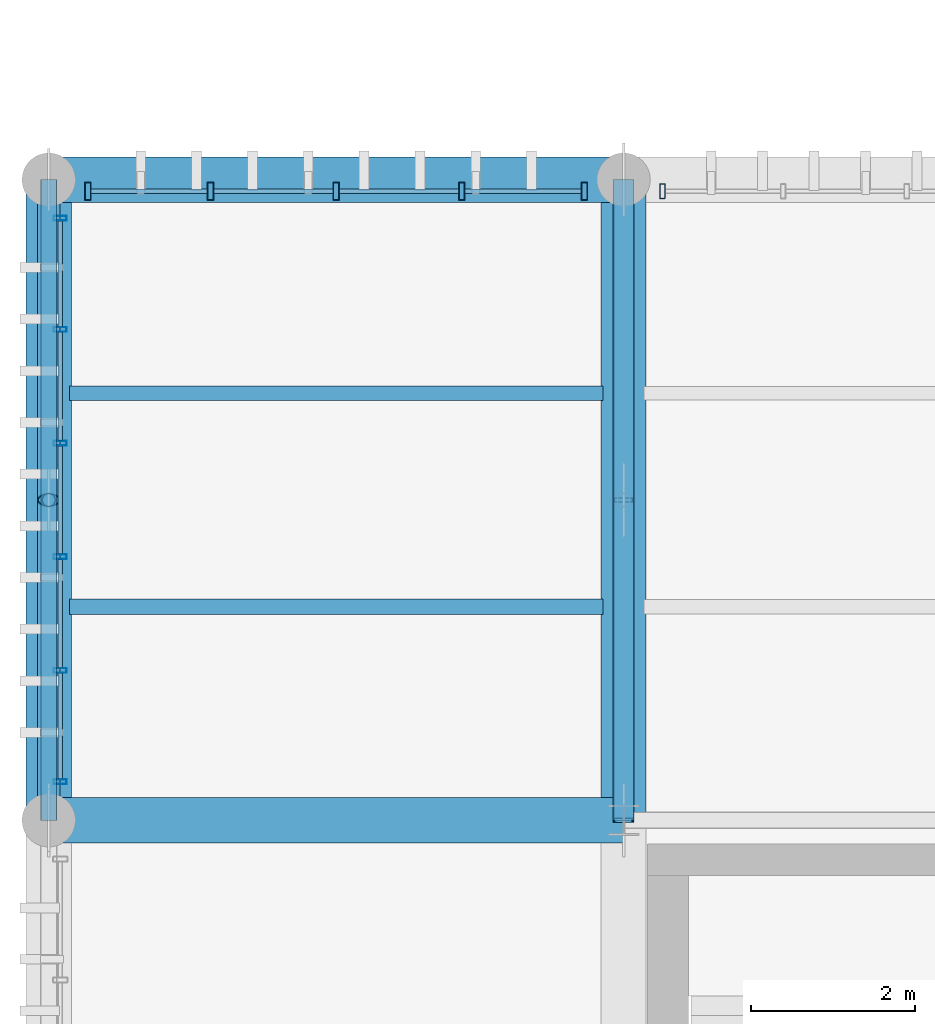
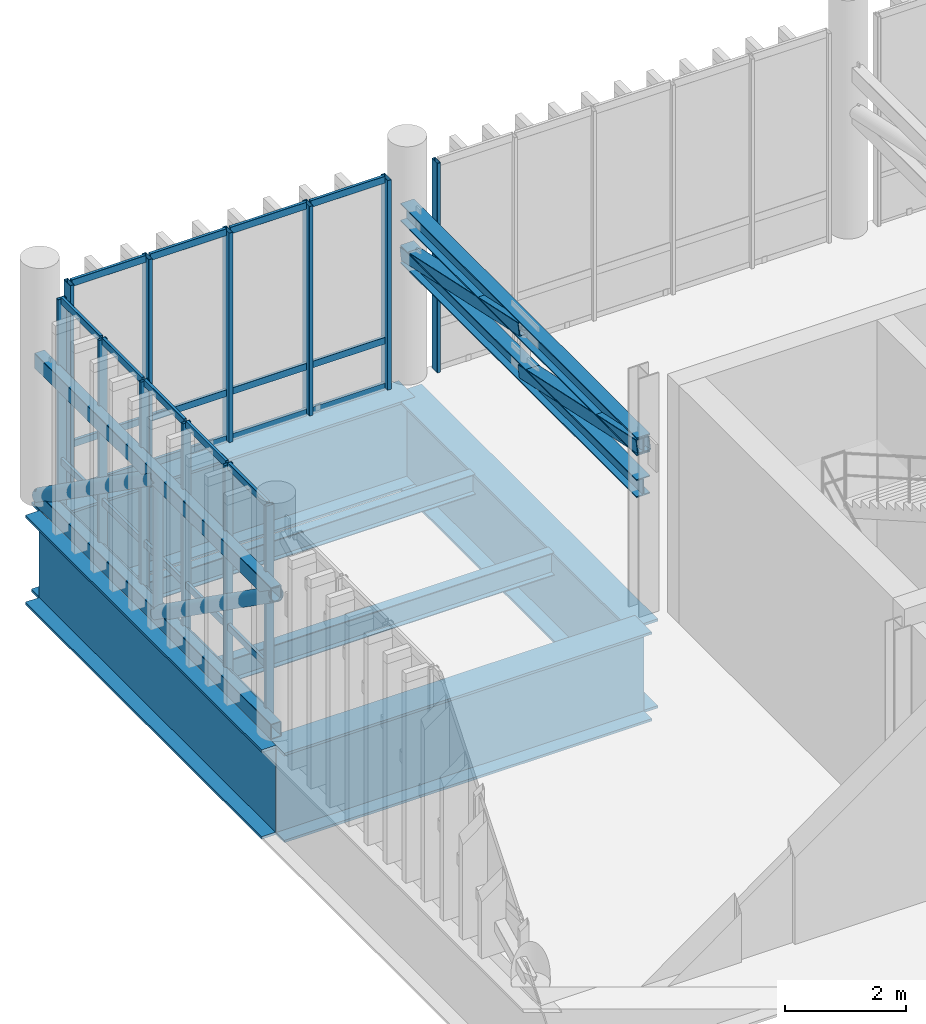
# One storey, part 14 of 81: 48 members, 6 beams, 3 elements without a shape of their own.
"""IFC4 building model written with IfcOpenShell, lengths in metres."""

from ifc_helpers import new_model, si_unit, direction, frame, origin_with_axes, origin_2d_with_axis, place, context, subcontext, project, spatial, hollow_rectangle, hollow_circle, i_section, extrude, material, material_profile, profile_set, type_object, element, aggregate, save


model = new_model("IFC4")

# Units and contexts
model_context = context("Model", 3, precision=1e-05, world=origin_with_axes(), true_north=direction((0.0, 1.0)))
body_context = subcontext(model_context, "Body", "Model", "MODEL_VIEW")
ifc_project = project(units=[si_unit("LENGTHUNIT", "METRE"), si_unit("AREAUNIT", "SQUARE_METRE"), si_unit("VOLUMEUNIT", "CUBIC_METRE"), si_unit("PLANEANGLEUNIT", "RADIAN"), si_unit("MASSUNIT", "GRAM", prefix="KILO"), si_unit("THERMODYNAMICTEMPERATUREUNIT", "KELVIN")], contexts=[model_context])

# Site, building, storey
site_placement = place(None, origin_with_axes())
site = spatial("IfcSite", under=ifc_project, at=site_placement, CompositionType="ELEMENT")
building_placement = place(site_placement, origin_with_axes())
building = spatial("IfcBuilding", under=site, at=building_placement, Name="Montbau Bow Law Courts", CompositionType="ELEMENT")
storey_placement = place(building_placement, frame((0.0, 0.0, 24.9), z_axis=(0.0, 0.0, 1.0), x_axis=(1.0, 0.0, 0.0)))
storey = spatial("IfcBuildingStorey", under=building, at=storey_placement, Name="L05", CompositionType="ELEMENT", Elevation=24.9)

# Beams
ifc_material_1 = material(Name="Steel CSA G40.21 Grade 350W (350 MPa)", Category="steel")
ifc_material_profile_1 = material_profile(ifc_material_1, i_section(OverallWidth=0.191, OverallDepth=0.46, WebThickness=0.0099, FlangeThickness=0.016, at=origin_2d_with_axis()), Name="W460X82", Category="Main", Priority=0)
ifc_profile_set_1 = profile_set([ifc_material_profile_1], Name="Steel CSA G40.21 Grade 350W (350 MPa)")
beam_type_1 = type_object("IfcBeamType", Name="B-JST-01", PredefinedType="JOIST", material=ifc_profile_set_1)
beam_1_placement = place(None, frame((7.051, 57.2, 24.37), z_axis=(1.0, 0.0, 0.0), x_axis=(0.0, 1.0, 0.0)))
element("IfcBeam", 1, at=beam_1_placement, inside=storey, type_object=beam_type_1, Name="JST-L05-S0320:jst2_0320", PredefinedType="JOIST", context=body_context, shape_type="SweptSolid", body=[
    extrude(i_section(OverallWidth=0.191, OverallDepth=0.46, WebThickness=0.0099, FlangeThickness=0.016, at=origin_2d_with_axis()), origin_with_axes(), (0.0, 0.0, 1.0), 6.498),
])
ifc_material_profile_2 = material_profile(ifc_material_1, i_section(OverallWidth=0.179, OverallDepth=0.41, WebThickness=0.0088, FlangeThickness=0.0144, at=origin_2d_with_axis()), Name="W410X67", Category="Main", Priority=0)
ifc_profile_set_2 = profile_set([ifc_material_profile_2], Name="Steel CSA G40.21 Grade 350W (350 MPa)")
beam_type_2 = type_object("IfcBeamType", Name="B-JST-02", PredefinedType="JOIST", material=ifc_profile_set_2)
beam_2_placement = place(None, frame((7.051, 59.8, 24.395), z_axis=(1.0, 0.0, 0.0), x_axis=(0.0, 1.0, 0.0)))
element("IfcBeam", 2, at=beam_2_placement, inside=storey, type_object=beam_type_2, Name="JST-L05-S0321:jst2_0321", PredefinedType="JOIST", context=body_context, shape_type="SweptSolid", body=[
    extrude(i_section(OverallWidth=0.179, OverallDepth=0.41, WebThickness=0.0088, FlangeThickness=0.0144, at=origin_2d_with_axis()), origin_with_axes(), (0.0, 0.0, 1.0), 6.498),
])
ifc_material_2 = material(Name="Steel CSA G40.21 Grade 350WT (350 MPa)", Category="steel")
ifc_material_profile_3 = material_profile(ifc_material_2, i_section(OverallWidth=0.55, OverallDepth=1.8, WebThickness=0.022, FlangeThickness=0.05, at=origin_2d_with_axis()), Name="WWF1800X550", Category="Main", Priority=0)
ifc_profile_set_3 = profile_set([ifc_material_profile_3], Name="Steel CSA G40.21 Grade 350WT (350 MPa)")
beam_type_3 = type_object("IfcBeamType", Name="B-TRG-01", PredefinedType="USERDEFINED", material=ifc_profile_set_3)
for number, where, z_axis, x_axis, name in (
    (3, (6.8, 54.6, 23.7), (0.0, 1.0, 0.0), (-1.0, 0.0, 0.0), "TRG-L05-S0032:bm2_0035"),
    (4, (13.8, 54.6, 23.7), (0.0, 1.0, 0.0), (-1.0, 0.0, 0.0), "TRG-L05-S0034:bm2_0037"),
):
    element("IfcBeam", number, at=place(None, frame(where, z_axis=z_axis, x_axis=x_axis)), inside=storey, type_object=beam_type_3, Name=name, ObjectType="GIRDER", PredefinedType="USERDEFINED", context=body_context, shape_type="SweptSolid", body=[
        extrude(i_section(OverallWidth=0.55, OverallDepth=1.8, WebThickness=0.022, FlangeThickness=0.05, at=origin_2d_with_axis()), origin_with_axes(), (0.0, 0.0, 1.0), 7.8),
    ])
for number, where, z_axis, x_axis, name in (
    (5, (6.8, 62.4, 23.7), (1.0, 0.0, 0.0), (0.0, 1.0, 0.0), "TRG-L05-S0043:bm2_0046"),
    (6, (6.8, 54.6, 23.7), (1.0, 0.0, 0.0), (0.0, 1.0, 0.0), "TRG-L05-S0057:bm2_0060"),
):
    element("IfcBeam", number, at=place(None, frame(where, z_axis=z_axis, x_axis=x_axis)), inside=storey, type_object=beam_type_3, Name=name, ObjectType="GIRDER", PredefinedType="USERDEFINED", context=body_context, shape_type="SweptSolid", body=[
        extrude(i_section(OverallWidth=0.55, OverallDepth=1.8, WebThickness=0.022, FlangeThickness=0.05, at=origin_2d_with_axis()), origin_with_axes(), (0.0, 0.0, 1.0), 7.0),
    ])

# Members
ifc_material_profile_4 = material_profile(ifc_material_1, hollow_rectangle(XDim=0.254, YDim=0.254, WallThickness=0.0127, InnerFilletRadius=0.0254, OuterFilletRadius=0.0127, at=origin_2d_with_axis()), Name="HSS254X254X13", Category="Main", Priority=0)
ifc_profile_set_4 = profile_set([ifc_material_profile_4], Name="Steel CSA G40.21 Grade 350W (350 MPa)")
member_type_1 = type_object("IfcMemberType", Name="M-BRC-01", PredefinedType="BRACE", material=ifc_profile_set_4)
for number, where, z_axis, x_axis, name in (
    (7, (13.8, 54.6, 28.2), (0.0, 0.977581781, -0.210556076), (-1.0, 0.0, 0.0), "Diagonal brace BRC-L05-003"),
    (8, (13.8, 58.5, 28.2), (0.0, 0.977581781, -0.210556076), (-1.0, 0.0, 0.0), "Diagonal brace BRC-L05-004"),
):
    element("IfcMember", number, at=place(None, frame(where, z_axis=z_axis, x_axis=x_axis)), inside=storey, type_object=member_type_1, Name=name, PredefinedType="BRACE", context=body_context, shape_type="SweptSolid", body=[
        extrude(hollow_rectangle(XDim=0.254, YDim=0.254, WallThickness=0.0127, InnerFilletRadius=0.0254, OuterFilletRadius=0.0127, at=origin_2d_with_axis()), origin_with_axes(), (0.0, 0.0, 1.0), 3.989436),
    ])
ifc_material_profile_5 = material_profile(ifc_material_1, hollow_circle(Radius=0.1365, WallThickness=0.0127, at=origin_2d_with_axis()), Name="HSS273X13", Category="Main", Priority=0)
ifc_profile_set_5 = profile_set([ifc_material_profile_5], Name="Steel CSA G40.21 Grade 350W (350 MPa)")
member_type_2 = type_object("IfcMemberType", Name="M-BRC-03", PredefinedType="BRACE", material=ifc_profile_set_5)
for number, where, z_axis, x_axis, name in (
    (9, (6.8, 54.6, 27.65), (0.0, 0.817258134, -0.576271761), (-1.0, 0.0, 0.0), "Diagonal brace BRC-L05-001"),
    (10, (6.8, 58.5, 27.65), (0.0, 0.817258134, -0.576271761), (-1.0, 0.0, 0.0), "Diagonal brace BRC-L05-002"),
):
    element("IfcMember", number, at=place(None, frame(where, z_axis=z_axis, x_axis=x_axis)), inside=storey, type_object=member_type_2, Name=name, PredefinedType="BRACE", context=body_context, shape_type="SweptSolid", body=[
        extrude(hollow_circle(Radius=0.1365, WallThickness=0.0127, at=origin_2d_with_axis()), origin_with_axes(), (0.0, 0.0, 1.0), 4.772054),
    ])
ifc_material_profile_6 = material_profile(ifc_material_2, i_section(OverallWidth=0.257, OverallDepth=0.363, WebThickness=0.013, FlangeThickness=0.0217, at=origin_2d_with_axis()), Name="W360X122", Category="Main", Priority=0)
ifc_profile_set_6 = profile_set([ifc_material_profile_6], Name="Steel CSA G40.21 Grade 350WT (350 MPa)")
member_type_3 = type_object("IfcMemberType", Name="M-CHD-01", PredefinedType="CHORD", material=ifc_profile_set_6)
for number, where, z_axis, x_axis, name in (
    (11, (13.8, 54.6, 27.36), (0.0, 1.0, 0.0), (-1.0, 0.0, 0.0), "CHB-L05-02:chb_0002"),
    (12, (13.8, 54.6, 28.2), (0.0, 1.0, 0.0), (-1.0, 0.0, 0.0), "CHD-L05-02:mbr_0005"),
):
    element("IfcMember", number, at=place(None, frame(where, z_axis=z_axis, x_axis=x_axis)), inside=storey, type_object=member_type_3, Name=name, PredefinedType="CHORD", context=body_context, shape_type="SweptSolid", body=[
        extrude(i_section(OverallWidth=0.257, OverallDepth=0.363, WebThickness=0.013, FlangeThickness=0.0217, at=origin_2d_with_axis()), origin_with_axes(), (0.0, 0.0, 1.0), 7.8),
    ])
ifc_material_profile_7 = material_profile(ifc_material_2, hollow_rectangle(XDim=0.203, YDim=0.305, WallThickness=0.0127, InnerFilletRadius=0.0254, OuterFilletRadius=0.0127, at=origin_2d_with_axis()), Name="HSS305X203X13", Category="Main", Priority=0)
ifc_profile_set_7 = profile_set([ifc_material_profile_7], Name="Steel CSA G40.21 Grade 350WT (350 MPa)")
member_type_4 = type_object("IfcMemberType", Name="M-CHD-02", PredefinedType="CHORD", material=ifc_profile_set_7)
for number, where, z_axis, x_axis, name in (
    (13, (6.8, 54.6, 24.9), (0.0, 1.0, 0.0), (-1.0, 0.0, 0.0), "CHB-L05-01:chb_0001"),
    (14, (6.8, 54.6, 27.65), (0.0, 1.0, 0.0), (-1.0, 0.0, 0.0), "CHD-L05-01:mbr_0001"),
):
    element("IfcMember", number, at=place(None, frame(where, z_axis=z_axis, x_axis=x_axis)), inside=storey, type_object=member_type_4, Name=name, PredefinedType="CHORD", context=body_context, shape_type="SweptSolid", body=[
        extrude(hollow_rectangle(XDim=0.203, YDim=0.305, WallThickness=0.0127, InnerFilletRadius=0.0254, OuterFilletRadius=0.0127, at=origin_2d_with_axis()), origin_with_axes(), (0.0, 0.0, 1.0), 7.8),
    ])

# Curtain wall, members
ifc_material_3 = material(Name="Thermally Broken Extruded Aluminium AA 6063-T6", Category="aluminium")
curtain_wall_type = type_object("IfcCurtainWallType", Name="CW-TRC-02", PredefinedType="NOTDEFINED", material=ifc_material_3)
curtain_wall_1_placement = place(None, frame((7.24, 62.26, 24.9), z_axis=(0.0, 0.0, 1.0), x_axis=(1.0, 0.0, 0.0)))
curtain_wall_1 = element("IfcCurtainWall", 15, at=curtain_wall_1_placement, inside=storey, type_object=curtain_wall_type, Name="CW-L05-081:cw_0081", PredefinedType="NOTDEFINED")
ifc_material_profile_8 = material_profile(ifc_material_3, hollow_rectangle(XDim=0.075, YDim=0.22, WallThickness=0.005, InnerFilletRadius=0.01, OuterFilletRadius=0.005, at=origin_2d_with_axis()), Name="CWM-220X75", Category="Main", Priority=0)
ifc_profile_set_8 = profile_set([ifc_material_profile_8], Name="Thermally Broken Extruded Aluminium AA 6063-T6")
member_type_5 = type_object("IfcMemberType", Name="M-MUL-01", PredefinedType="MULLION", material=ifc_profile_set_8)
member_1_placement = place(None, frame((7.277, 62.26, 24.9), z_axis=(0.0, 0.0, 1.0), x_axis=(1.0, 0.0, 0.0)))
member_1 = element("IfcMember", 16, at=member_1_placement, type_object=member_type_5, Name="CW-L05-081-M01:cw_0081_M01", PredefinedType="MULLION", context=body_context, shape_type="SweptSolid", body=[
    extrude(hollow_rectangle(XDim=0.075, YDim=0.22, WallThickness=0.005, InnerFilletRadius=0.01, OuterFilletRadius=0.005, at=origin_2d_with_axis()), origin_with_axes(), (0.0, 0.0, 1.0), 4.22),
])
member_2_placement = place(None, frame((8.77, 62.26, 24.9), z_axis=(0.0, 0.0, 1.0), x_axis=(1.0, 0.0, 0.0)))
member_2 = element("IfcMember", 17, at=member_2_placement, type_object=member_type_5, Name="CW-L05-081-M02:cw_0081_M02", PredefinedType="MULLION", context=body_context, shape_type="SweptSolid", body=[
    extrude(hollow_rectangle(XDim=0.075, YDim=0.22, WallThickness=0.005, InnerFilletRadius=0.01, OuterFilletRadius=0.005, at=origin_2d_with_axis()), origin_with_axes(), (0.0, 0.0, 1.0), 4.22),
])
member_3_placement = place(None, frame((10.3, 62.26, 24.9), z_axis=(0.0, 0.0, 1.0), x_axis=(1.0, 0.0, 0.0)))
member_3 = element("IfcMember", 18, at=member_3_placement, type_object=member_type_5, Name="CW-L05-081-M03:cw_0081_M03", PredefinedType="MULLION", context=body_context, shape_type="SweptSolid", body=[
    extrude(hollow_rectangle(XDim=0.075, YDim=0.22, WallThickness=0.005, InnerFilletRadius=0.01, OuterFilletRadius=0.005, at=origin_2d_with_axis()), origin_with_axes(), (0.0, 0.0, 1.0), 4.22),
])
member_4_placement = place(None, frame((11.83, 62.26, 24.9), z_axis=(0.0, 0.0, 1.0), x_axis=(1.0, 0.0, 0.0)))
member_4 = element("IfcMember", 19, at=member_4_placement, type_object=member_type_5, Name="CW-L05-081-M04:cw_0081_M04", PredefinedType="MULLION", context=body_context, shape_type="SweptSolid", body=[
    extrude(hollow_rectangle(XDim=0.075, YDim=0.22, WallThickness=0.005, InnerFilletRadius=0.01, OuterFilletRadius=0.005, at=origin_2d_with_axis()), origin_with_axes(), (0.0, 0.0, 1.0), 4.22),
])
member_5_placement = place(None, frame((13.322, 62.26, 24.9), z_axis=(0.0, 0.0, 1.0), x_axis=(1.0, 0.0, 0.0)))
member_5 = element("IfcMember", 20, at=member_5_placement, type_object=member_type_5, Name="CW-L05-081-M05:cw_0081_M05", PredefinedType="MULLION", context=body_context, shape_type="SweptSolid", body=[
    extrude(hollow_rectangle(XDim=0.075, YDim=0.22, WallThickness=0.005, InnerFilletRadius=0.01, OuterFilletRadius=0.005, at=origin_2d_with_axis()), origin_with_axes(), (0.0, 0.0, 1.0), 4.22),
])

# Curtain wall, member
curtain_wall_2_placement = place(None, frame((14.24, 62.26, 24.9), z_axis=(0.0, 0.0, 1.0), x_axis=(1.0, 0.0, 0.0)))
curtain_wall_2 = element("IfcCurtainWall", 21, at=curtain_wall_2_placement, inside=storey, type_object=curtain_wall_type, Name="CW-L05-082:cw_0082", PredefinedType="NOTDEFINED")
ifc_material_profile_9 = material_profile(ifc_material_3, hollow_rectangle(XDim=0.065, YDim=0.18, WallThickness=0.005, InnerFilletRadius=0.01, OuterFilletRadius=0.005, at=origin_2d_with_axis()), Name="CWM-180X65", Category="Main", Priority=0)
ifc_profile_set_9 = profile_set([ifc_material_profile_9], Name="Thermally Broken Extruded Aluminium AA 6063-T6")
member_type_6 = type_object("IfcMemberType", Name="M-MUL-02", PredefinedType="MULLION", material=ifc_profile_set_9)
member_6_placement = place(None, frame((14.273, 62.26, 24.9), z_axis=(0.0, 0.0, 1.0), x_axis=(1.0, 0.0, 0.0)))
member_6 = element("IfcMember", 22, at=member_6_placement, type_object=member_type_6, Name="CW-L05-082-M01:cw_0082_M01", PredefinedType="MULLION", context=body_context, shape_type="SweptSolid", body=[
    extrude(hollow_rectangle(XDim=0.065, YDim=0.18, WallThickness=0.005, InnerFilletRadius=0.01, OuterFilletRadius=0.005, at=origin_2d_with_axis()), origin_with_axes(), (0.0, 0.0, 1.0), 4.22),
])
aggregate(curtain_wall_2, [member_6])

# Curtain wall, members
curtain_wall_3_placement = place(None, frame((6.94, 55.04, 24.9), z_axis=(0.0, 0.0, 1.0), x_axis=(1.0, 0.0, 0.0)))
curtain_wall_3 = element("IfcCurtainWall", 23, at=curtain_wall_3_placement, inside=storey, type_object=curtain_wall_type, Name="CW-L05-089:cw_0089", PredefinedType="NOTDEFINED")
ifc_material_profile_10 = material_profile(ifc_material_3, hollow_rectangle(XDim=0.06, YDim=0.16, WallThickness=0.004, InnerFilletRadius=0.008, OuterFilletRadius=0.004, at=origin_2d_with_axis()), Name="CWM-160X60", Category="Main", Priority=0)
ifc_profile_set_10 = profile_set([ifc_material_profile_10], Name="Thermally Broken Extruded Aluminium AA 6063-T6")
member_type_7 = type_object("IfcMemberType", Name="M-MUL-03", PredefinedType="MULLION", material=ifc_profile_set_10)
member_7_placement = place(None, frame((6.94, 55.07, 24.9), z_axis=(0.0, 0.0, 1.0), x_axis=(0.0, 1.0, 0.0)))
member_7 = element("IfcMember", 24, at=member_7_placement, type_object=member_type_7, Name="CW-L05-089-M01:cw_0089_M01", PredefinedType="MULLION", context=body_context, shape_type="SweptSolid", body=[
    extrude(hollow_rectangle(XDim=0.06, YDim=0.16, WallThickness=0.004, InnerFilletRadius=0.008, OuterFilletRadius=0.004, at=origin_2d_with_axis()), origin_with_axes(), (0.0, 0.0, 1.0), 4.22),
])
member_8_placement = place(None, frame((6.94, 56.424, 24.9), z_axis=(0.0, 0.0, 1.0), x_axis=(0.0, 1.0, 0.0)))
member_8 = element("IfcMember", 25, at=member_8_placement, type_object=member_type_7, Name="CW-L05-089-M02:cw_0089_M02", PredefinedType="MULLION", context=body_context, shape_type="SweptSolid", body=[
    extrude(hollow_rectangle(XDim=0.06, YDim=0.16, WallThickness=0.004, InnerFilletRadius=0.008, OuterFilletRadius=0.004, at=origin_2d_with_axis()), origin_with_axes(), (0.0, 0.0, 1.0), 4.22),
])
member_9_placement = place(None, frame((6.94, 57.808, 24.9), z_axis=(0.0, 0.0, 1.0), x_axis=(0.0, 1.0, 0.0)))
member_9 = element("IfcMember", 26, at=member_9_placement, type_object=member_type_7, Name="CW-L05-089-M03:cw_0089_M03", PredefinedType="MULLION", context=body_context, shape_type="SweptSolid", body=[
    extrude(hollow_rectangle(XDim=0.06, YDim=0.16, WallThickness=0.004, InnerFilletRadius=0.008, OuterFilletRadius=0.004, at=origin_2d_with_axis()), origin_with_axes(), (0.0, 0.0, 1.0), 4.22),
])
member_10_placement = place(None, frame((6.94, 59.192, 24.9), z_axis=(0.0, 0.0, 1.0), x_axis=(0.0, 1.0, 0.0)))
member_10 = element("IfcMember", 27, at=member_10_placement, type_object=member_type_7, Name="CW-L05-089-M04:cw_0089_M04", PredefinedType="MULLION", context=body_context, shape_type="SweptSolid", body=[
    extrude(hollow_rectangle(XDim=0.06, YDim=0.16, WallThickness=0.004, InnerFilletRadius=0.008, OuterFilletRadius=0.004, at=origin_2d_with_axis()), origin_with_axes(), (0.0, 0.0, 1.0), 4.22),
])
member_11_placement = place(None, frame((6.94, 60.576, 24.9), z_axis=(0.0, 0.0, 1.0), x_axis=(0.0, 1.0, 0.0)))
member_11 = element("IfcMember", 28, at=member_11_placement, type_object=member_type_7, Name="CW-L05-089-M05:cw_0089_M05", PredefinedType="MULLION", context=body_context, shape_type="SweptSolid", body=[
    extrude(hollow_rectangle(XDim=0.06, YDim=0.16, WallThickness=0.004, InnerFilletRadius=0.008, OuterFilletRadius=0.004, at=origin_2d_with_axis()), origin_with_axes(), (0.0, 0.0, 1.0), 4.22),
])
member_12_placement = place(None, frame((6.94, 61.93, 24.9), z_axis=(0.0, 0.0, 1.0), x_axis=(0.0, 1.0, 0.0)))
member_12 = element("IfcMember", 29, at=member_12_placement, type_object=member_type_7, Name="CW-L05-089-M06:cw_0089_M06", PredefinedType="MULLION", context=body_context, shape_type="SweptSolid", body=[
    extrude(hollow_rectangle(XDim=0.06, YDim=0.16, WallThickness=0.004, InnerFilletRadius=0.008, OuterFilletRadius=0.004, at=origin_2d_with_axis()), origin_with_axes(), (0.0, 0.0, 1.0), 4.22),
])

# Member
ifc_material_profile_11 = material_profile(ifc_material_1, hollow_circle(Radius=0.084, WallThickness=0.0095, at=origin_2d_with_axis()), Name="HSS168X9.5", Category="Main", Priority=0)
ifc_profile_set_11 = profile_set([ifc_material_profile_11], Name="Steel CSA G40.21 Grade 350W (350 MPa)")
member_type_8 = type_object("IfcMemberType", Name="M-STR-01", PredefinedType="STRUT", material=ifc_profile_set_11)
member_13_placement = place(None, frame((6.8, 58.5, 24.9), z_axis=(0.0, 0.0, 1.0), x_axis=(1.0, 0.0, 0.0)))
element("IfcMember", 30, at=member_13_placement, inside=storey, type_object=member_type_8, Name="STR-L05-01:mbr_0004", PredefinedType="STRUT", context=body_context, shape_type="SweptSolid", body=[
    extrude(hollow_circle(Radius=0.084, WallThickness=0.0095, at=origin_2d_with_axis()), origin_with_axes(), (0.0, 0.0, 1.0), 2.75),
])

ifc_material_profile_12 = material_profile(ifc_material_3, hollow_rectangle(XDim=0.055, YDim=0.14, WallThickness=0.004, InnerFilletRadius=0.008, OuterFilletRadius=0.004, at=origin_2d_with_axis()), Name="CWT-140X55", Category="Main", Priority=0)
ifc_profile_set_12 = profile_set([ifc_material_profile_12], Name="Thermally Broken Extruded Aluminium AA 6063-T6")
member_type_9 = type_object("IfcMemberType", Name="M-TRN-02", PredefinedType="USERDEFINED", material=ifc_profile_set_12)
member_14_placement = place(None, frame((7.316, 62.26, 24.927), z_axis=(1.0, 0.0, 0.0), x_axis=(0.0, 1.0, 0.0)))
member_14 = element("IfcMember", 31, at=member_14_placement, type_object=member_type_9, Name="CW-L05-081-T01-1:cw_0081_T01_1", ObjectType="TRANSOM", PredefinedType="USERDEFINED", context=body_context, shape_type="SweptSolid", body=[
    extrude(hollow_rectangle(XDim=0.055, YDim=0.14, WallThickness=0.004, InnerFilletRadius=0.008, OuterFilletRadius=0.004, at=origin_2d_with_axis()), origin_with_axes(), (0.0, 0.0, 1.0), 1.414),
])

member_15_placement = place(None, frame((7.316, 62.26, 25.85), z_axis=(1.0, 0.0, 0.0), x_axis=(0.0, 1.0, 0.0)))
member_15 = element("IfcMember", 32, at=member_15_placement, type_object=member_type_9, Name="CW-L05-081-T01-2:cw_0081_T01_2", ObjectType="TRANSOM", PredefinedType="USERDEFINED", context=body_context, shape_type="SweptSolid", body=[
    extrude(hollow_rectangle(XDim=0.055, YDim=0.14, WallThickness=0.004, InnerFilletRadius=0.008, OuterFilletRadius=0.004, at=origin_2d_with_axis()), origin_with_axes(), (0.0, 0.0, 1.0), 1.414),
])

member_16_placement = place(None, frame((7.316, 62.26, 29.093), z_axis=(1.0, 0.0, 0.0), x_axis=(0.0, 1.0, 0.0)))
member_16 = element("IfcMember", 33, at=member_16_placement, type_object=member_type_9, Name="CW-L05-081-T01-3:cw_0081_T01_3", ObjectType="TRANSOM", PredefinedType="USERDEFINED", context=body_context, shape_type="SweptSolid", body=[
    extrude(hollow_rectangle(XDim=0.055, YDim=0.14, WallThickness=0.004, InnerFilletRadius=0.008, OuterFilletRadius=0.004, at=origin_2d_with_axis()), origin_with_axes(), (0.0, 0.0, 1.0), 1.414),
])

member_17_placement = place(None, frame((8.81, 62.26, 24.927), z_axis=(1.0, 0.0, 0.0), x_axis=(0.0, 1.0, 0.0)))
member_17 = element("IfcMember", 34, at=member_17_placement, type_object=member_type_9, Name="CW-L05-081-T02-1:cw_0081_T02_1", ObjectType="TRANSOM", PredefinedType="USERDEFINED", context=body_context, shape_type="SweptSolid", body=[
    extrude(hollow_rectangle(XDim=0.055, YDim=0.14, WallThickness=0.004, InnerFilletRadius=0.008, OuterFilletRadius=0.004, at=origin_2d_with_axis()), origin_with_axes(), (0.0, 0.0, 1.0), 1.451),
])

member_18_placement = place(None, frame((8.81, 62.26, 25.85), z_axis=(1.0, 0.0, 0.0), x_axis=(0.0, 1.0, 0.0)))
member_18 = element("IfcMember", 35, at=member_18_placement, type_object=member_type_9, Name="CW-L05-081-T02-2:cw_0081_T02_2", ObjectType="TRANSOM", PredefinedType="USERDEFINED", context=body_context, shape_type="SweptSolid", body=[
    extrude(hollow_rectangle(XDim=0.055, YDim=0.14, WallThickness=0.004, InnerFilletRadius=0.008, OuterFilletRadius=0.004, at=origin_2d_with_axis()), origin_with_axes(), (0.0, 0.0, 1.0), 1.451),
])

member_19_placement = place(None, frame((8.81, 62.26, 29.093), z_axis=(1.0, 0.0, 0.0), x_axis=(0.0, 1.0, 0.0)))
member_19 = element("IfcMember", 36, at=member_19_placement, type_object=member_type_9, Name="CW-L05-081-T02-3:cw_0081_T02_3", ObjectType="TRANSOM", PredefinedType="USERDEFINED", context=body_context, shape_type="SweptSolid", body=[
    extrude(hollow_rectangle(XDim=0.055, YDim=0.14, WallThickness=0.004, InnerFilletRadius=0.008, OuterFilletRadius=0.004, at=origin_2d_with_axis()), origin_with_axes(), (0.0, 0.0, 1.0), 1.451),
])

member_20_placement = place(None, frame((10.339, 62.26, 24.927), z_axis=(1.0, 0.0, 0.0), x_axis=(0.0, 1.0, 0.0)))
member_20 = element("IfcMember", 37, at=member_20_placement, type_object=member_type_9, Name="CW-L05-081-T03-1:cw_0081_T03_1", ObjectType="TRANSOM", PredefinedType="USERDEFINED", context=body_context, shape_type="SweptSolid", body=[
    extrude(hollow_rectangle(XDim=0.055, YDim=0.14, WallThickness=0.004, InnerFilletRadius=0.008, OuterFilletRadius=0.004, at=origin_2d_with_axis()), origin_with_axes(), (0.0, 0.0, 1.0), 1.452),
])

member_21_placement = place(None, frame((10.339, 62.26, 25.85), z_axis=(1.0, 0.0, 0.0), x_axis=(0.0, 1.0, 0.0)))
member_21 = element("IfcMember", 38, at=member_21_placement, type_object=member_type_9, Name="CW-L05-081-T03-2:cw_0081_T03_2", ObjectType="TRANSOM", PredefinedType="USERDEFINED", context=body_context, shape_type="SweptSolid", body=[
    extrude(hollow_rectangle(XDim=0.055, YDim=0.14, WallThickness=0.004, InnerFilletRadius=0.008, OuterFilletRadius=0.004, at=origin_2d_with_axis()), origin_with_axes(), (0.0, 0.0, 1.0), 1.452),
])

member_22_placement = place(None, frame((10.339, 62.26, 29.093), z_axis=(1.0, 0.0, 0.0), x_axis=(0.0, 1.0, 0.0)))
member_22 = element("IfcMember", 39, at=member_22_placement, type_object=member_type_9, Name="CW-L05-081-T03-3:cw_0081_T03_3", ObjectType="TRANSOM", PredefinedType="USERDEFINED", context=body_context, shape_type="SweptSolid", body=[
    extrude(hollow_rectangle(XDim=0.055, YDim=0.14, WallThickness=0.004, InnerFilletRadius=0.008, OuterFilletRadius=0.004, at=origin_2d_with_axis()), origin_with_axes(), (0.0, 0.0, 1.0), 1.452),
])

member_23_placement = place(None, frame((11.869, 62.26, 24.927), z_axis=(1.0, 0.0, 0.0), x_axis=(0.0, 1.0, 0.0)))
member_23 = element("IfcMember", 40, at=member_23_placement, type_object=member_type_9, Name="CW-L05-081-T04-1:cw_0081_T04_1", ObjectType="TRANSOM", PredefinedType="USERDEFINED", context=body_context, shape_type="SweptSolid", body=[
    extrude(hollow_rectangle(XDim=0.055, YDim=0.14, WallThickness=0.004, InnerFilletRadius=0.008, OuterFilletRadius=0.004, at=origin_2d_with_axis()), origin_with_axes(), (0.0, 0.0, 1.0), 1.414),
])

member_24_placement = place(None, frame((11.869, 62.26, 25.85), z_axis=(1.0, 0.0, 0.0), x_axis=(0.0, 1.0, 0.0)))
member_24 = element("IfcMember", 41, at=member_24_placement, type_object=member_type_9, Name="CW-L05-081-T04-2:cw_0081_T04_2", ObjectType="TRANSOM", PredefinedType="USERDEFINED", context=body_context, shape_type="SweptSolid", body=[
    extrude(hollow_rectangle(XDim=0.055, YDim=0.14, WallThickness=0.004, InnerFilletRadius=0.008, OuterFilletRadius=0.004, at=origin_2d_with_axis()), origin_with_axes(), (0.0, 0.0, 1.0), 1.414),
])

member_25_placement = place(None, frame((11.869, 62.26, 29.093), z_axis=(1.0, 0.0, 0.0), x_axis=(0.0, 1.0, 0.0)))
member_25 = element("IfcMember", 42, at=member_25_placement, type_object=member_type_9, Name="CW-L05-081-T04-3:cw_0081_T04_3", ObjectType="TRANSOM", PredefinedType="USERDEFINED", context=body_context, shape_type="SweptSolid", body=[
    extrude(hollow_rectangle(XDim=0.055, YDim=0.14, WallThickness=0.004, InnerFilletRadius=0.008, OuterFilletRadius=0.004, at=origin_2d_with_axis()), origin_with_axes(), (0.0, 0.0, 1.0), 1.414),
])

aggregate(curtain_wall_1, [member_1, member_2, member_3, member_4, member_5, member_14, member_15, member_16, member_17, member_18, member_19, member_20, member_21, member_22, member_23, member_24, member_25])

member_26_placement = place(None, frame((6.94, 55.102, 24.927), z_axis=(0.0, 1.0, 0.0), x_axis=(-1.0, 0.0, 0.0)))
member_26 = element("IfcMember", 43, at=member_26_placement, type_object=member_type_9, Name="CW-L05-089-T01-1:cw_0089_T01_1", ObjectType="TRANSOM", PredefinedType="USERDEFINED", context=body_context, shape_type="SweptSolid", body=[
    extrude(hollow_rectangle(XDim=0.055, YDim=0.14, WallThickness=0.004, InnerFilletRadius=0.008, OuterFilletRadius=0.004, at=origin_2d_with_axis()), origin_with_axes(), (0.0, 0.0, 1.0), 1.29),
])

member_27_placement = place(None, frame((6.94, 55.102, 25.85), z_axis=(0.0, 1.0, 0.0), x_axis=(-1.0, 0.0, 0.0)))
member_27 = element("IfcMember", 44, at=member_27_placement, type_object=member_type_9, Name="CW-L05-089-T01-2:cw_0089_T01_2", ObjectType="TRANSOM", PredefinedType="USERDEFINED", context=body_context, shape_type="SweptSolid", body=[
    extrude(hollow_rectangle(XDim=0.055, YDim=0.14, WallThickness=0.004, InnerFilletRadius=0.008, OuterFilletRadius=0.004, at=origin_2d_with_axis()), origin_with_axes(), (0.0, 0.0, 1.0), 1.29),
])

member_28_placement = place(None, frame((6.94, 55.102, 29.093), z_axis=(0.0, 1.0, 0.0), x_axis=(-1.0, 0.0, 0.0)))
member_28 = element("IfcMember", 45, at=member_28_placement, type_object=member_type_9, Name="CW-L05-089-T01-3:cw_0089_T01_3", ObjectType="TRANSOM", PredefinedType="USERDEFINED", context=body_context, shape_type="SweptSolid", body=[
    extrude(hollow_rectangle(XDim=0.055, YDim=0.14, WallThickness=0.004, InnerFilletRadius=0.008, OuterFilletRadius=0.004, at=origin_2d_with_axis()), origin_with_axes(), (0.0, 0.0, 1.0), 1.29),
])

member_29_placement = place(None, frame((6.94, 56.456, 24.927), z_axis=(0.0, 1.0, 0.0), x_axis=(-1.0, 0.0, 0.0)))
member_29 = element("IfcMember", 46, at=member_29_placement, type_object=member_type_9, Name="CW-L05-089-T02-1:cw_0089_T02_1", ObjectType="TRANSOM", PredefinedType="USERDEFINED", context=body_context, shape_type="SweptSolid", body=[
    extrude(hollow_rectangle(XDim=0.055, YDim=0.14, WallThickness=0.004, InnerFilletRadius=0.008, OuterFilletRadius=0.004, at=origin_2d_with_axis()), origin_with_axes(), (0.0, 0.0, 1.0), 1.32),
])

member_30_placement = place(None, frame((6.94, 56.456, 25.85), z_axis=(0.0, 1.0, 0.0), x_axis=(-1.0, 0.0, 0.0)))
member_30 = element("IfcMember", 47, at=member_30_placement, type_object=member_type_9, Name="CW-L05-089-T02-2:cw_0089_T02_2", ObjectType="TRANSOM", PredefinedType="USERDEFINED", context=body_context, shape_type="SweptSolid", body=[
    extrude(hollow_rectangle(XDim=0.055, YDim=0.14, WallThickness=0.004, InnerFilletRadius=0.008, OuterFilletRadius=0.004, at=origin_2d_with_axis()), origin_with_axes(), (0.0, 0.0, 1.0), 1.32),
])

member_31_placement = place(None, frame((6.94, 56.456, 29.093), z_axis=(0.0, 1.0, 0.0), x_axis=(-1.0, 0.0, 0.0)))
member_31 = element("IfcMember", 48, at=member_31_placement, type_object=member_type_9, Name="CW-L05-089-T02-3:cw_0089_T02_3", ObjectType="TRANSOM", PredefinedType="USERDEFINED", context=body_context, shape_type="SweptSolid", body=[
    extrude(hollow_rectangle(XDim=0.055, YDim=0.14, WallThickness=0.004, InnerFilletRadius=0.008, OuterFilletRadius=0.004, at=origin_2d_with_axis()), origin_with_axes(), (0.0, 0.0, 1.0), 1.32),
])

member_32_placement = place(None, frame((6.94, 57.84, 24.927), z_axis=(0.0, 1.0, 0.0), x_axis=(-1.0, 0.0, 0.0)))
member_32 = element("IfcMember", 49, at=member_32_placement, type_object=member_type_9, Name="CW-L05-089-T03-1:cw_0089_T03_1", ObjectType="TRANSOM", PredefinedType="USERDEFINED", context=body_context, shape_type="SweptSolid", body=[
    extrude(hollow_rectangle(XDim=0.055, YDim=0.14, WallThickness=0.004, InnerFilletRadius=0.008, OuterFilletRadius=0.004, at=origin_2d_with_axis()), origin_with_axes(), (0.0, 0.0, 1.0), 1.32),
])

member_33_placement = place(None, frame((6.94, 57.84, 25.85), z_axis=(0.0, 1.0, 0.0), x_axis=(-1.0, 0.0, 0.0)))
member_33 = element("IfcMember", 50, at=member_33_placement, type_object=member_type_9, Name="CW-L05-089-T03-2:cw_0089_T03_2", ObjectType="TRANSOM", PredefinedType="USERDEFINED", context=body_context, shape_type="SweptSolid", body=[
    extrude(hollow_rectangle(XDim=0.055, YDim=0.14, WallThickness=0.004, InnerFilletRadius=0.008, OuterFilletRadius=0.004, at=origin_2d_with_axis()), origin_with_axes(), (0.0, 0.0, 1.0), 1.32),
])

member_34_placement = place(None, frame((6.94, 57.84, 29.093), z_axis=(0.0, 1.0, 0.0), x_axis=(-1.0, 0.0, 0.0)))
member_34 = element("IfcMember", 51, at=member_34_placement, type_object=member_type_9, Name="CW-L05-089-T03-3:cw_0089_T03_3", ObjectType="TRANSOM", PredefinedType="USERDEFINED", context=body_context, shape_type="SweptSolid", body=[
    extrude(hollow_rectangle(XDim=0.055, YDim=0.14, WallThickness=0.004, InnerFilletRadius=0.008, OuterFilletRadius=0.004, at=origin_2d_with_axis()), origin_with_axes(), (0.0, 0.0, 1.0), 1.32),
])

member_35_placement = place(None, frame((6.94, 59.224, 24.927), z_axis=(0.0, 1.0, 0.0), x_axis=(-1.0, 0.0, 0.0)))
member_35 = element("IfcMember", 52, at=member_35_placement, type_object=member_type_9, Name="CW-L05-089-T04-1:cw_0089_T04_1", ObjectType="TRANSOM", PredefinedType="USERDEFINED", context=body_context, shape_type="SweptSolid", body=[
    extrude(hollow_rectangle(XDim=0.055, YDim=0.14, WallThickness=0.004, InnerFilletRadius=0.008, OuterFilletRadius=0.004, at=origin_2d_with_axis()), origin_with_axes(), (0.0, 0.0, 1.0), 1.32),
])

member_36_placement = place(None, frame((6.94, 59.224, 25.85), z_axis=(0.0, 1.0, 0.0), x_axis=(-1.0, 0.0, 0.0)))
member_36 = element("IfcMember", 53, at=member_36_placement, type_object=member_type_9, Name="CW-L05-089-T04-2:cw_0089_T04_2", ObjectType="TRANSOM", PredefinedType="USERDEFINED", context=body_context, shape_type="SweptSolid", body=[
    extrude(hollow_rectangle(XDim=0.055, YDim=0.14, WallThickness=0.004, InnerFilletRadius=0.008, OuterFilletRadius=0.004, at=origin_2d_with_axis()), origin_with_axes(), (0.0, 0.0, 1.0), 1.32),
])

member_37_placement = place(None, frame((6.94, 59.224, 29.093), z_axis=(0.0, 1.0, 0.0), x_axis=(-1.0, 0.0, 0.0)))
member_37 = element("IfcMember", 54, at=member_37_placement, type_object=member_type_9, Name="CW-L05-089-T04-3:cw_0089_T04_3", ObjectType="TRANSOM", PredefinedType="USERDEFINED", context=body_context, shape_type="SweptSolid", body=[
    extrude(hollow_rectangle(XDim=0.055, YDim=0.14, WallThickness=0.004, InnerFilletRadius=0.008, OuterFilletRadius=0.004, at=origin_2d_with_axis()), origin_with_axes(), (0.0, 0.0, 1.0), 1.32),
])

member_38_placement = place(None, frame((6.94, 60.608, 24.927), z_axis=(0.0, 1.0, 0.0), x_axis=(-1.0, 0.0, 0.0)))
member_38 = element("IfcMember", 55, at=member_38_placement, type_object=member_type_9, Name="CW-L05-089-T05-1:cw_0089_T05_1", ObjectType="TRANSOM", PredefinedType="USERDEFINED", context=body_context, shape_type="SweptSolid", body=[
    extrude(hollow_rectangle(XDim=0.055, YDim=0.14, WallThickness=0.004, InnerFilletRadius=0.008, OuterFilletRadius=0.004, at=origin_2d_with_axis()), origin_with_axes(), (0.0, 0.0, 1.0), 1.29),
])

member_39_placement = place(None, frame((6.94, 60.608, 25.85), z_axis=(0.0, 1.0, 0.0), x_axis=(-1.0, 0.0, 0.0)))
member_39 = element("IfcMember", 56, at=member_39_placement, type_object=member_type_9, Name="CW-L05-089-T05-2:cw_0089_T05_2", ObjectType="TRANSOM", PredefinedType="USERDEFINED", context=body_context, shape_type="SweptSolid", body=[
    extrude(hollow_rectangle(XDim=0.055, YDim=0.14, WallThickness=0.004, InnerFilletRadius=0.008, OuterFilletRadius=0.004, at=origin_2d_with_axis()), origin_with_axes(), (0.0, 0.0, 1.0), 1.29),
])

member_40_placement = place(None, frame((6.94, 60.608, 29.093), z_axis=(0.0, 1.0, 0.0), x_axis=(-1.0, 0.0, 0.0)))
member_40 = element("IfcMember", 57, at=member_40_placement, type_object=member_type_9, Name="CW-L05-089-T05-3:cw_0089_T05_3", ObjectType="TRANSOM", PredefinedType="USERDEFINED", context=body_context, shape_type="SweptSolid", body=[
    extrude(hollow_rectangle(XDim=0.055, YDim=0.14, WallThickness=0.004, InnerFilletRadius=0.008, OuterFilletRadius=0.004, at=origin_2d_with_axis()), origin_with_axes(), (0.0, 0.0, 1.0), 1.29),
])

aggregate(curtain_wall_3, [member_7, member_8, member_9, member_10, member_11, member_12, member_26, member_27, member_28, member_29, member_30, member_31, member_32, member_33, member_34, member_35, member_36, member_37, member_38, member_39, member_40])

save(model, "model.ifc")
